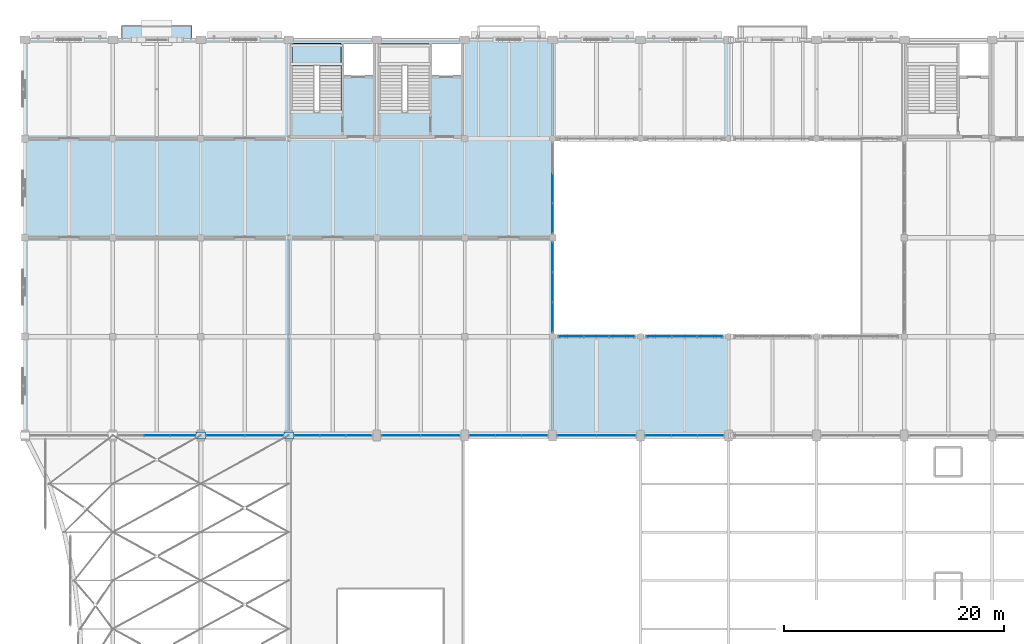
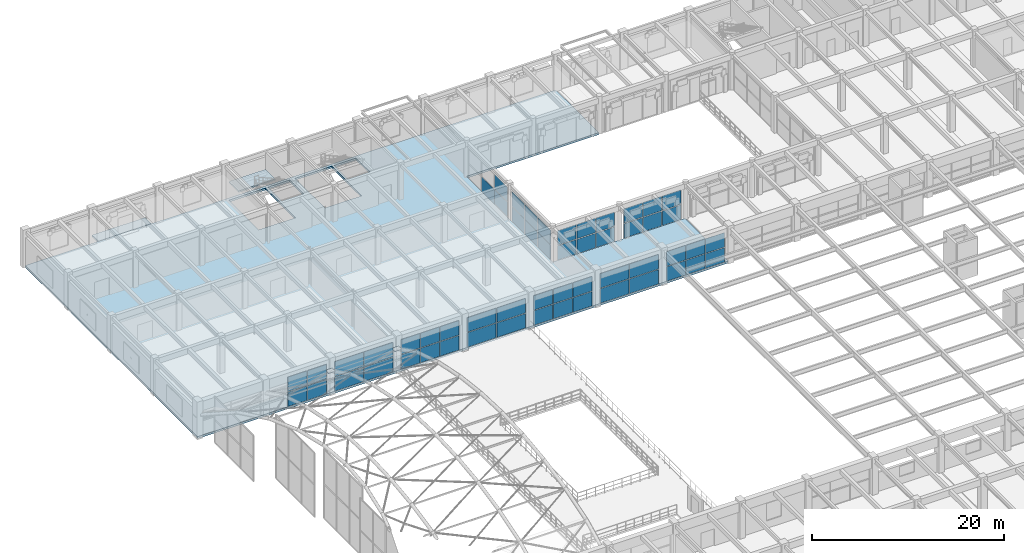
# One storey, part 94 of 144: 57 plates, 3 slabs, 12 elements without a shape of their own.
"""IFC4 building model written with IfcOpenShell, lengths in metres."""

import ifcopenshell
import ifcopenshell.guid

model = None  # the IFC model being written
_history = None  # IfcOwnerHistory: only IFC2X3 demands one
_inside = {}  # id of a spatial element -> (the spatial element, [elements in it])
_under = {}  # id of a project, library or spatial element -> (it, [spatial elements below it])
_declared = {}  # id of a project -> (the project, [libraries it declares])
_typed = {}  # id of a type object -> (the type object, [elements of that type])
_made_of = {}  # id of a material, layer set ... -> (it, [elements and type objects made of it])


def new_model(schema):
    """Start an empty IFC model of exactly this schema.

    Asked for "IFC4X3", IfcOpenShell would pick the latest addendum, in which some entities
    have other attributes; the version numbers below select the first issue.
    IFC2X3 requires an IfcOwnerHistory on every rooted entity: one is made here for all.
    """
    global model, _history
    if schema == "IFC4X3":
        model = ifcopenshell.file(schema_version=(4, 3, 0, 0))
    else:
        model = ifcopenshell.file(schema=schema)
    _inside.clear()
    _under.clear()
    _declared.clear()
    _typed.clear()
    _made_of.clear()
    _history = None
    if model.schema == "IFC2X3":
        org = make("IfcOrganization", Name="unknown")
        user = make(
            "IfcPersonAndOrganization",
            ThePerson=make("IfcPerson", FamilyName="unknown"),
            TheOrganization=org,
        )
        app = make(
            "IfcApplication",
            ApplicationDeveloper=org,
            Version="unknown",
            ApplicationFullName="unknown",
            ApplicationIdentifier="unknown",
        )
        _history = make(
            "IfcOwnerHistory",
            OwningUser=user,
            OwningApplication=app,
            ChangeAction="ADDED",
            CreationDate=0,
        )
    return model


def make(cls, **values):
    """One entity of the class cls with the attributes given. An attribute that is None is left unset."""
    return model.create_entity(
        cls, **{name: value for name, value in values.items() if value is not None}
    )


def rooted(cls, **values):
    """An entity with a GlobalId (a new one), such as an element, a storey or a relation."""
    return make(cls, GlobalId=ifcopenshell.guid.new(), OwnerHistory=_history, **values)


def si_unit(unit_type, name, prefix=None):
    """IfcSIUnit, for example si_unit("LENGTHUNIT", "METRE", prefix="MILLI")."""
    return make("IfcSIUnit", UnitType=unit_type, Prefix=prefix, Name=name)


def assignment(units):
    """IfcUnitAssignment: the units of a project."""
    return None if units is None else make("IfcUnitAssignment", Units=units)


def point(xyz):
    """IfcCartesianPoint."""
    return None if xyz is None else make("IfcCartesianPoint", Coordinates=xyz)


def direction(xyz):
    """IfcDirection."""
    return None if xyz is None else make("IfcDirection", DirectionRatios=xyz)


def frame(location, z_axis=None, x_axis=None):
    """IfcAxis2Placement3D, a coordinate frame: its origin and axes. An axis left out is left unset."""
    return make(
        "IfcAxis2Placement3D",
        Location=point(location),
        Axis=direction(z_axis),
        RefDirection=direction(x_axis),
    )


def frame_2d(location, x_axis=None):
    """IfcAxis2Placement2D, a coordinate frame in the plane: its origin and x axis."""
    return make(
        "IfcAxis2Placement2D", Location=point(location), RefDirection=direction(x_axis)
    )


def origin():
    """The frame at (0, 0, 0) with its axes left unset."""
    return frame((0.0, 0.0, 0.0))


def origin_2d():
    """The frame at (0, 0) in the plane with its x axis left unset."""
    return frame_2d((0.0, 0.0))


def place(relative_to, where):
    """IfcLocalPlacement: puts the frame where relative to a parent placement (None: the world)."""
    return make(
        "IfcLocalPlacement", PlacementRelTo=relative_to, RelativePlacement=where
    )


def context(
    kind, dimensions, precision=None, world=None, true_north=None, identifier=None
):
    """IfcGeometricRepresentationContext, for example the 3D "Model" context."""
    return make(
        "IfcGeometricRepresentationContext",
        ContextIdentifier=identifier,
        ContextType=kind,
        CoordinateSpaceDimension=dimensions,
        Precision=precision,
        WorldCoordinateSystem=world,
        TrueNorth=true_north,
    )


def subcontext(parent, identifier, kind, view, scale=None):
    """IfcGeometricRepresentationSubContext, for example "Body" below "Model"."""
    return make(
        "IfcGeometricRepresentationSubContext",
        ContextIdentifier=identifier,
        ContextType=kind,
        ParentContext=parent,
        TargetScale=scale,
        TargetView=view,
    )


def project(units=None, contexts=None):
    """IfcProject with its units and contexts."""
    return rooted(
        "IfcProject",
        Name="project",
        RepresentationContexts=contexts,
        UnitsInContext=assignment(units),
    )


def spatial(cls, under=None, at=None, **own):
    """A site, building, storey or space (cls), placed at a placement, below another one or the project."""
    s = rooted(cls, ObjectPlacement=at, **own)
    if under is not None:
        _under.setdefault(under.id(), (under, []))[1].append(s)
    return s


def polyline(points):
    """IfcPolyline through the points."""
    return make("IfcPolyline", Points=[point(p) for p in points])


def profile(cls, at=None, kind="AREA", **sizes):
    """A parametric profile (cls). Its sizes go by their IFC names, for example OverallWidth=200.0."""
    return make(cls, ProfileType=kind, Position=at, **sizes)


def rectangle(**sizes):
    """IfcRectangleProfileDef."""
    return profile("IfcRectangleProfileDef", **sizes)


def outline(outer, holes=None, kind="AREA"):
    """IfcArbitraryClosedProfileDef: a profile drawn as a closed curve; with holes, ...WithVoids."""
    if holes is None:
        return make("IfcArbitraryClosedProfileDef", ProfileType=kind, OuterCurve=outer)
    return make(
        "IfcArbitraryProfileDefWithVoids",
        ProfileType=kind,
        OuterCurve=outer,
        InnerCurves=holes,
    )


def extrude(swept, where, along, depth):
    """IfcExtrudedAreaSolid: the profile swept, set in the frame where, extruded along a direction by depth."""
    return make(
        "IfcExtrudedAreaSolid",
        SweptArea=swept,
        Position=where,
        ExtrudedDirection=direction(along),
        Depth=depth,
    )


def shape(context_of_items, identifier, shape_type, items):
    """IfcShapeRepresentation: the items that make up one representation, for example the "Body"."""
    return make(
        "IfcShapeRepresentation",
        ContextOfItems=context_of_items,
        RepresentationIdentifier=identifier,
        RepresentationType=shape_type,
        Items=items,
    )


def material(Name=None, Category=None):
    """IfcMaterial."""
    return make("IfcMaterial", Name=Name, Category=Category)


def layer(
    of_material, thickness, ventilated=None, Name=None, Category=None, Priority=None
):
    """IfcMaterialLayer: one layer of a wall or slab, of a material (None: an air gap)."""
    return make(
        "IfcMaterialLayer",
        Material=of_material,
        LayerThickness=thickness,
        IsVentilated=ventilated,
        Name=Name,
        Category=Category,
        Priority=Priority,
    )


def layer_set(layers, Name=None):
    """IfcMaterialLayerSet."""
    return make("IfcMaterialLayerSet", MaterialLayers=layers, LayerSetName=Name)


def made_of(thing, what):
    """Note that an element or type object is made of a material, layer set ...; save() writes the relation."""
    if what is not None:
        _made_of.setdefault(what.id(), (what, []))[1].append(thing)
    return thing


def type_object(cls, material=None, **own):
    """A type object (cls), such as IfcWallType, which elements share."""
    return made_of(rooted(cls, **own), material)


def element(
    cls,
    number,
    at=None,
    inside=None,
    cuts=None,
    type_object=None,
    material=None,
    context=None,
    identifier="Body",
    shape_type=None,
    held_by="IfcProductDefinitionShape",
    body=None,
    shapes=None,
    **own,
):
    """One element of the class cls, such as IfcWall. Its Tag is "e" and its number.

    at: its placement. inside: the storey or other place that contains it. cuts: it is an
    opening in that element (IfcRelVoidsElement). A single representation is given by context,
    identifier, shape_type and body (its items); several are given by shapes. held_by: the class
    of the entity that holds the representations. save() writes the other relations.
    """
    e = rooted(cls, Tag="e%d" % number, ObjectPlacement=at, **own)
    if body is not None:
        shapes = [shape(context, identifier, shape_type, body)]
    if shapes is not None:
        e.Representation = make(held_by, Representations=shapes)
    if inside is not None:
        _inside.setdefault(inside.id(), (inside, []))[1].append(e)
    if cuts is not None:
        rooted(
            "IfcRelVoidsElement", RelatingBuildingElement=cuts, RelatedOpeningElement=e
        )
    if type_object is not None:
        _typed.setdefault(type_object.id(), (type_object, []))[1].append(e)
    return made_of(e, material)


def aggregate(whole, parts):
    """IfcRelAggregates: a whole, such as a stair, and the parts it consists of."""
    return rooted("IfcRelAggregates", RelatingObject=whole, RelatedObjects=parts)


def save(model, path):
    """Write the relations noted so far, then the file.

    IfcRelAggregates (storeys below a building ...), IfcRelContainedInSpatialStructure (elements
    in a storey), IfcRelDefinesByType, IfcRelAssociatesMaterial and IfcRelDeclares: one each for
    every whole, place, type object, material and project.
    """
    for whole, parts in _under.values():
        aggregate(whole, parts)
    for where, things in _inside.values():
        rooted(
            "IfcRelContainedInSpatialStructure",
            RelatedElements=things,
            RelatingStructure=where,
        )
    for kind, things in _typed.values():
        rooted("IfcRelDefinesByType", RelatedObjects=things, RelatingType=kind)
    for what, things in _made_of.values():
        rooted("IfcRelAssociatesMaterial", RelatedObjects=things, RelatingMaterial=what)
    for by, libraries in _declared.values():
        rooted("IfcRelDeclares", RelatingContext=by, RelatedDefinitions=libraries)
    model.write(path)


model = new_model("IFC4")

# Units and contexts
model_context = context("Model", 3, precision=1e-05, world=origin(), true_north=direction((0.0, 1.0)))
body_context = subcontext(model_context, "Body", "Model", "MODEL_VIEW")
ifc_project = project(units=[si_unit("LENGTHUNIT", "METRE"), si_unit("AREAUNIT", "SQUARE_METRE"), si_unit("VOLUMEUNIT", "CUBIC_METRE"), si_unit("PLANEANGLEUNIT", "RADIAN"), si_unit("MASSUNIT", "GRAM", prefix="KILO")], contexts=[model_context])

# Site, building, storey
site_placement = place(None, origin())
site = spatial("IfcSite", under=ifc_project, at=site_placement, CompositionType="ELEMENT")
building_placement = place(site_placement, origin())
building = spatial("IfcBuilding", under=site, at=building_placement, Name="Varnabhumi Central Station", CompositionType="ELEMENT")
storey_placement = place(building_placement, frame((0.0, 0.0, 4.800048828125)))
storey = spatial("IfcBuildingStorey", under=building, at=storey_placement, Name="L01", CompositionType="ELEMENT", Elevation=4.800048828125)

# Curtain wall, plates
ifc_material_1 = material(Name="Anodised aluminium 6063-T6", Category="aluminium")
curtain_wall_type_1 = type_object("IfcCurtainWallType", Name="CW-STREET-PORTAL", PredefinedType="NOTDEFINED", material=ifc_material_1)
curtain_wall_1_placement = place(storey_placement, origin())
curtain_wall_1 = element("IfcCurtainWall", 1, at=curtain_wall_1_placement, inside=storey, type_object=curtain_wall_type_1, Name="Curtain Wall CW-NSP101", PredefinedType="NOTDEFINED")
ifc_material_2 = material(Name="Laminated low-E double glazing", Category="glass")
ifc_layer_1 = layer(ifc_material_2, 0.035888671875, Name="Laminated low-E double glazing", Category="glass")
ifc_layer_set_1 = layer_set([ifc_layer_1], Name="Laminated low-E double glazing")
plate_type_1 = type_object("IfcPlateType", Name="CW-PNL-GLZ-2", PredefinedType="CURTAIN_PANEL", material=ifc_layer_set_1)
plate_1_placement = place(storey_placement, frame((12.0, 80.0, 0.0400390625), z_axis=(0.0, 0.0, 1.0), x_axis=(1.0, 0.0, 0.0)))
plate_1 = element("IfcPlate", 2, at=plate_1_placement, type_object=plate_type_1, Name="Glazed Panel CW-NSP101-P21", PredefinedType="CURTAIN_PANEL", context=body_context, shape_type="SweptSolid", body=[
    extrude(rectangle(XDim=2.28662109375, YDim=0.035888671875, at=origin_2d()), origin(), (0.0, 0.0, 1.0), 1.840087890625),
])
plate_2_placement = place(storey_placement, frame((12.0, 80.0, 1.9599609375), z_axis=(0.0, 0.0, 1.0), x_axis=(1.0, 0.0, 0.0)))
plate_2 = element("IfcPlate", 3, at=plate_2_placement, type_object=plate_type_1, Name="Glazed Panel CW-NSP101-P22", PredefinedType="CURTAIN_PANEL", context=body_context, shape_type="SweptSolid", body=[
    extrude(rectangle(XDim=2.28662109375, YDim=0.035888671875, at=origin_2d()), origin(), (0.0, 0.0, 1.0), 1.840087890625),
])
plate_3_placement = place(storey_placement, frame((14.36669921875, 80.0, 0.0400390625), z_axis=(0.0, 0.0, 1.0), x_axis=(1.0, 0.0, 0.0)))
plate_3 = element("IfcPlate", 4, at=plate_3_placement, type_object=plate_type_1, Name="Glazed Panel CW-NSP101-P31", PredefinedType="CURTAIN_PANEL", context=body_context, shape_type="SweptSolid", body=[
    extrude(rectangle(XDim=2.28662109375, YDim=0.035888671875, at=origin_2d()), origin(), (0.0, 0.0, 1.0), 1.840087890625),
])
plate_4_placement = place(storey_placement, frame((14.36669921875, 80.0, 1.9599609375), z_axis=(0.0, 0.0, 1.0), x_axis=(1.0, 0.0, 0.0)))
plate_4 = element("IfcPlate", 5, at=plate_4_placement, type_object=plate_type_1, Name="Glazed Panel CW-NSP101-P32", PredefinedType="CURTAIN_PANEL", context=body_context, shape_type="SweptSolid", body=[
    extrude(rectangle(XDim=2.28662109375, YDim=0.035888671875, at=origin_2d()), origin(), (0.0, 0.0, 1.0), 1.840087890625),
])
aggregate(curtain_wall_1, [plate_1, plate_2, plate_3, plate_4])

curtain_wall_2_placement = place(storey_placement, origin())
curtain_wall_2 = element("IfcCurtainWall", 6, at=curtain_wall_2_placement, inside=storey, type_object=curtain_wall_type_1, Name="Curtain Wall CW-NSP107", PredefinedType="NOTDEFINED")
plate_5_placement = place(storey_placement, frame((57.63330078125, 80.0, 0.0400390625), z_axis=(0.0, 0.0, 1.0), x_axis=(1.0, 0.0, 0.0)))
plate_5 = element("IfcPlate", 7, at=plate_5_placement, type_object=plate_type_1, Name="Glazed Panel CW-NSP107-P11", PredefinedType="CURTAIN_PANEL", context=body_context, shape_type="SweptSolid", body=[
    extrude(rectangle(XDim=2.28662109375, YDim=0.035888671875, at=origin_2d()), origin(), (0.0, 0.0, 1.0), 1.840087890625),
])
plate_6_placement = place(storey_placement, frame((57.63330078125, 80.0, 1.9599609375), z_axis=(0.0, 0.0, 1.0), x_axis=(1.0, 0.0, 0.0)))
plate_6 = element("IfcPlate", 8, at=plate_6_placement, type_object=plate_type_1, Name="Glazed Panel CW-NSP107-P12", PredefinedType="CURTAIN_PANEL", context=body_context, shape_type="SweptSolid", body=[
    extrude(rectangle(XDim=2.28662109375, YDim=0.035888671875, at=origin_2d()), origin(), (0.0, 0.0, 1.0), 1.840087890625),
])
plate_7_placement = place(storey_placement, frame((60.0, 80.0, 0.0400390625), z_axis=(0.0, 0.0, 1.0), x_axis=(1.0, 0.0, 0.0)))
plate_7 = element("IfcPlate", 9, at=plate_7_placement, type_object=plate_type_1, Name="Glazed Panel CW-NSP107-P21", PredefinedType="CURTAIN_PANEL", context=body_context, shape_type="SweptSolid", body=[
    extrude(rectangle(XDim=2.28662109375, YDim=0.035888671875, at=origin_2d()), origin(), (0.0, 0.0, 1.0), 1.840087890625),
])
plate_8_placement = place(storey_placement, frame((60.0, 80.0, 1.9599609375), z_axis=(0.0, 0.0, 1.0), x_axis=(1.0, 0.0, 0.0)))
plate_8 = element("IfcPlate", 10, at=plate_8_placement, type_object=plate_type_1, Name="Glazed Panel CW-NSP107-P22", PredefinedType="CURTAIN_PANEL", context=body_context, shape_type="SweptSolid", body=[
    extrude(rectangle(XDim=2.28662109375, YDim=0.035888671875, at=origin_2d()), origin(), (0.0, 0.0, 1.0), 1.840087890625),
])
plate_9_placement = place(storey_placement, frame((62.36669921875, 80.0, 0.0400390625), z_axis=(0.0, 0.0, 1.0), x_axis=(1.0, 0.0, 0.0)))
plate_9 = element("IfcPlate", 11, at=plate_9_placement, type_object=plate_type_1, Name="Glazed Panel CW-NSP107-P31", PredefinedType="CURTAIN_PANEL", context=body_context, shape_type="SweptSolid", body=[
    extrude(rectangle(XDim=2.28662109375, YDim=0.035888671875, at=origin_2d()), origin(), (0.0, 0.0, 1.0), 1.840087890625),
])
plate_10_placement = place(storey_placement, frame((62.36669921875, 80.0, 1.9599609375), z_axis=(0.0, 0.0, 1.0), x_axis=(1.0, 0.0, 0.0)))
plate_10 = element("IfcPlate", 12, at=plate_10_placement, type_object=plate_type_1, Name="Glazed Panel CW-NSP107-P32", PredefinedType="CURTAIN_PANEL", context=body_context, shape_type="SweptSolid", body=[
    extrude(rectangle(XDim=2.28662109375, YDim=0.035888671875, at=origin_2d()), origin(), (0.0, 0.0, 1.0), 1.840087890625),
])
aggregate(curtain_wall_2, [plate_5, plate_6, plate_7, plate_8, plate_9, plate_10])

curtain_wall_type_2 = type_object("IfcCurtainWallType", Name="CW-PATIO-LOGGIA-L1", PredefinedType="NOTDEFINED", material=ifc_material_1)
curtain_wall_3_placement = place(storey_placement, origin())
curtain_wall_3 = element("IfcCurtainWall", 13, at=curtain_wall_3_placement, inside=storey, type_object=curtain_wall_type_2, Name="Curtain Wall CW-NP1E1", PredefinedType="NOTDEFINED")
plate_11_placement = place(storey_placement, frame((48.0, 90.780029296875, 0.0400390625), z_axis=(0.0, 0.0, 1.0), x_axis=(0.0, 1.0, 0.0)))
plate_11 = element("IfcPlate", 14, at=plate_11_placement, type_object=plate_type_1, Name="Glazed Panel CW-NP1E1-P11", PredefinedType="CURTAIN_PANEL", context=body_context, shape_type="SweptSolid", body=[
    extrude(rectangle(XDim=2.639892578125, YDim=0.035888671875, at=origin_2d()), origin(), (0.0, 0.0, 1.0), 1.840087890625),
])
plate_12_placement = place(storey_placement, frame((48.0, 90.780029296875, 1.9599609375), z_axis=(0.0, 0.0, 1.0), x_axis=(0.0, 1.0, 0.0)))
plate_12 = element("IfcPlate", 15, at=plate_12_placement, type_object=plate_type_1, Name="Glazed Panel CW-NP1E1-P12", PredefinedType="CURTAIN_PANEL", context=body_context, shape_type="SweptSolid", body=[
    extrude(rectangle(XDim=2.639892578125, YDim=0.035888671875, at=origin_2d()), origin(), (0.0, 0.0, 1.0), 1.840087890625),
])
plate_13_placement = place(storey_placement, frame((48.0, 93.5, 0.0400390625), z_axis=(0.0, 0.0, 1.0), x_axis=(0.0, 1.0, 0.0)))
plate_13 = element("IfcPlate", 16, at=plate_13_placement, type_object=plate_type_1, Name="Glazed Panel CW-NP1E1-P21", PredefinedType="CURTAIN_PANEL", context=body_context, shape_type="SweptSolid", body=[
    extrude(rectangle(XDim=2.639892578125, YDim=0.035888671875, at=origin_2d()), origin(), (0.0, 0.0, 1.0), 1.840087890625),
])
plate_14_placement = place(storey_placement, frame((48.0, 93.5, 1.9599609375), z_axis=(0.0, 0.0, 1.0), x_axis=(0.0, 1.0, 0.0)))
plate_14 = element("IfcPlate", 17, at=plate_14_placement, type_object=plate_type_1, Name="Glazed Panel CW-NP1E1-P22", PredefinedType="CURTAIN_PANEL", context=body_context, shape_type="SweptSolid", body=[
    extrude(rectangle(XDim=2.639892578125, YDim=0.035888671875, at=origin_2d()), origin(), (0.0, 0.0, 1.0), 1.840087890625),
])
plate_15_placement = place(storey_placement, frame((48.0, 96.219970703125, 0.0400390625), z_axis=(0.0, 0.0, 1.0), x_axis=(0.0, 1.0, 0.0)))
plate_15 = element("IfcPlate", 18, at=plate_15_placement, type_object=plate_type_1, Name="Glazed Panel CW-NP1E1-P31", PredefinedType="CURTAIN_PANEL", context=body_context, shape_type="SweptSolid", body=[
    extrude(rectangle(XDim=2.639892578125, YDim=0.035888671875, at=origin_2d()), origin(), (0.0, 0.0, 1.0), 1.840087890625),
])
plate_16_placement = place(storey_placement, frame((48.0, 96.219970703125, 1.9599609375), z_axis=(0.0, 0.0, 1.0), x_axis=(0.0, 1.0, 0.0)))
plate_16 = element("IfcPlate", 19, at=plate_16_placement, type_object=plate_type_1, Name="Glazed Panel CW-NP1E1-P32", PredefinedType="CURTAIN_PANEL", context=body_context, shape_type="SweptSolid", body=[
    extrude(rectangle(XDim=2.639892578125, YDim=0.035888671875, at=origin_2d()), origin(), (0.0, 0.0, 1.0), 1.840087890625),
])
aggregate(curtain_wall_3, [plate_11, plate_12, plate_13, plate_14, plate_15, plate_16])

curtain_wall_4_placement = place(storey_placement, origin())
curtain_wall_4 = element("IfcCurtainWall", 20, at=curtain_wall_4_placement, inside=storey, type_object=curtain_wall_type_2, Name="Curtain Wall CW-NP1E2", PredefinedType="NOTDEFINED")
plate_17_placement = place(storey_placement, frame((48.0, 99.780029296875, 0.0400390625), z_axis=(0.0, 0.0, 1.0), x_axis=(0.0, 1.0, 0.0)))
plate_17 = element("IfcPlate", 21, at=plate_17_placement, type_object=plate_type_1, Name="Glazed Panel CW-NP1E2-P11", PredefinedType="CURTAIN_PANEL", context=body_context, shape_type="SweptSolid", body=[
    extrude(rectangle(XDim=2.639892578125, YDim=0.035888671875, at=origin_2d()), origin(), (0.0, 0.0, 1.0), 1.840087890625),
])
plate_18_placement = place(storey_placement, frame((48.0, 99.780029296875, 1.9599609375), z_axis=(0.0, 0.0, 1.0), x_axis=(0.0, 1.0, 0.0)))
plate_18 = element("IfcPlate", 22, at=plate_18_placement, type_object=plate_type_1, Name="Glazed Panel CW-NP1E2-P12", PredefinedType="CURTAIN_PANEL", context=body_context, shape_type="SweptSolid", body=[
    extrude(rectangle(XDim=2.639892578125, YDim=0.035888671875, at=origin_2d()), origin(), (0.0, 0.0, 1.0), 1.840087890625),
])
plate_19_placement = place(storey_placement, frame((48.0, 102.5, 0.0400390625), z_axis=(0.0, 0.0, 1.0), x_axis=(0.0, 1.0, 0.0)))
plate_19 = element("IfcPlate", 23, at=plate_19_placement, type_object=plate_type_1, Name="Glazed Panel CW-NP1E2-P21", PredefinedType="CURTAIN_PANEL", context=body_context, shape_type="SweptSolid", body=[
    extrude(rectangle(XDim=2.639892578125, YDim=0.035888671875, at=origin_2d()), origin(), (0.0, 0.0, 1.0), 1.840087890625),
])
aggregate(curtain_wall_4, [plate_17, plate_18, plate_19])

curtain_wall_5_placement = place(storey_placement, origin())
curtain_wall_5 = element("IfcCurtainWall", 24, at=curtain_wall_5_placement, inside=storey, type_object=curtain_wall_type_2, Name="Curtain Wall CW-NP1S1", PredefinedType="NOTDEFINED")
plate_20_placement = place(storey_placement, frame((49.679931640625, 89.0, 0.0400390625), z_axis=(0.0, 0.0, 1.0), x_axis=(1.0, 0.0, 0.0)))
plate_20 = element("IfcPlate", 25, at=plate_20_placement, type_object=plate_type_1, Name="Glazed Panel CW-NP1S1-P11", PredefinedType="CURTAIN_PANEL", context=body_context, shape_type="SweptSolid", body=[
    extrude(rectangle(XDim=2.239990234375, YDim=0.035888671875, at=origin_2d()), origin(), (0.0, 0.0, 1.0), 1.840087890625),
])
plate_21_placement = place(storey_placement, frame((49.679931640625, 89.0, 1.9599609375), z_axis=(0.0, 0.0, 1.0), x_axis=(1.0, 0.0, 0.0)))
plate_21 = element("IfcPlate", 26, at=plate_21_placement, type_object=plate_type_1, Name="Glazed Panel CW-NP1S1-P12", PredefinedType="CURTAIN_PANEL", context=body_context, shape_type="SweptSolid", body=[
    extrude(rectangle(XDim=2.239990234375, YDim=0.035888671875, at=origin_2d()), origin(), (0.0, 0.0, 1.0), 1.840087890625),
])
plate_22_placement = place(storey_placement, frame((52.0, 89.0, 0.0400390625), z_axis=(0.0, 0.0, 1.0), x_axis=(1.0, 0.0, 0.0)))
plate_22 = element("IfcPlate", 27, at=plate_22_placement, type_object=plate_type_1, Name="Glazed Panel CW-NP1S1-P21", PredefinedType="CURTAIN_PANEL", context=body_context, shape_type="SweptSolid", body=[
    extrude(rectangle(XDim=2.239990234375, YDim=0.035888671875, at=origin_2d()), origin(), (0.0, 0.0, 1.0), 1.840087890625),
])
plate_23_placement = place(storey_placement, frame((52.0, 89.0, 1.9599609375), z_axis=(0.0, 0.0, 1.0), x_axis=(1.0, 0.0, 0.0)))
plate_23 = element("IfcPlate", 28, at=plate_23_placement, type_object=plate_type_1, Name="Glazed Panel CW-NP1S1-P22", PredefinedType="CURTAIN_PANEL", context=body_context, shape_type="SweptSolid", body=[
    extrude(rectangle(XDim=2.239990234375, YDim=0.035888671875, at=origin_2d()), origin(), (0.0, 0.0, 1.0), 1.840087890625),
])
plate_24_placement = place(storey_placement, frame((54.320068359375, 89.0, 0.0400390625), z_axis=(0.0, 0.0, 1.0), x_axis=(1.0, 0.0, 0.0)))
plate_24 = element("IfcPlate", 29, at=plate_24_placement, type_object=plate_type_1, Name="Glazed Panel CW-NP1S1-P31", PredefinedType="CURTAIN_PANEL", context=body_context, shape_type="SweptSolid", body=[
    extrude(rectangle(XDim=2.239990234375, YDim=0.035888671875, at=origin_2d()), origin(), (0.0, 0.0, 1.0), 1.840087890625),
])
plate_25_placement = place(storey_placement, frame((54.320068359375, 89.0, 1.9599609375), z_axis=(0.0, 0.0, 1.0), x_axis=(1.0, 0.0, 0.0)))
plate_25 = element("IfcPlate", 30, at=plate_25_placement, type_object=plate_type_1, Name="Glazed Panel CW-NP1S1-P32", PredefinedType="CURTAIN_PANEL", context=body_context, shape_type="SweptSolid", body=[
    extrude(rectangle(XDim=2.239990234375, YDim=0.035888671875, at=origin_2d()), origin(), (0.0, 0.0, 1.0), 1.840087890625),
])
aggregate(curtain_wall_5, [plate_20, plate_21, plate_22, plate_23, plate_24, plate_25])

curtain_wall_6_placement = place(storey_placement, origin())
curtain_wall_6 = element("IfcCurtainWall", 31, at=curtain_wall_6_placement, inside=storey, type_object=curtain_wall_type_2, Name="Curtain Wall CW-NP1S2", PredefinedType="NOTDEFINED")
ifc_layer_2 = layer(ifc_material_2, 0.035888671875, Name="Laminated low-E double glazing", Category="glass")
ifc_layer_set_2 = layer_set([ifc_layer_2], Name="Laminated low-E double glazing")
plate_type_2 = type_object("IfcPlateType", Name="CW-PNL-GLZ-3", PredefinedType="CURTAIN_PANEL", material=ifc_layer_set_2)
plate_26_placement = place(storey_placement, frame((57.679931640625, 89.0, 0.0400390625), z_axis=(0.0, 0.0, 1.0), x_axis=(1.0, 0.0, 0.0)))
plate_26 = element("IfcPlate", 32, at=plate_26_placement, type_object=plate_type_2, Name="Glazed Panel CW-NP1S2-P11", PredefinedType="CURTAIN_PANEL", context=body_context, shape_type="SweptSolid", body=[
    extrude(rectangle(XDim=2.239990234375, YDim=0.035888671875, at=origin_2d()), origin(), (0.0, 0.0, 1.0), 1.840087890625),
])
plate_27_placement = place(storey_placement, frame((57.679931640625, 89.0, 1.9599609375), z_axis=(0.0, 0.0, 1.0), x_axis=(1.0, 0.0, 0.0)))
plate_27 = element("IfcPlate", 33, at=plate_27_placement, type_object=plate_type_2, Name="Glazed Panel CW-NP1S2-P12", PredefinedType="CURTAIN_PANEL", context=body_context, shape_type="SweptSolid", body=[
    extrude(rectangle(XDim=2.239990234375, YDim=0.035888671875, at=origin_2d()), origin(), (0.0, 0.0, 1.0), 1.840087890625),
])
plate_28_placement = place(storey_placement, frame((60.0, 89.0, 0.0400390625), z_axis=(0.0, 0.0, 1.0), x_axis=(1.0, 0.0, 0.0)))
plate_28 = element("IfcPlate", 34, at=plate_28_placement, type_object=plate_type_2, Name="Glazed Panel CW-NP1S2-P21", PredefinedType="CURTAIN_PANEL", context=body_context, shape_type="SweptSolid", body=[
    extrude(rectangle(XDim=2.239990234375, YDim=0.035888671875, at=origin_2d()), origin(), (0.0, 0.0, 1.0), 1.840087890625),
])
plate_29_placement = place(storey_placement, frame((60.0, 89.0, 1.9599609375), z_axis=(0.0, 0.0, 1.0), x_axis=(1.0, 0.0, 0.0)))
plate_29 = element("IfcPlate", 35, at=plate_29_placement, type_object=plate_type_2, Name="Glazed Panel CW-NP1S2-P22", PredefinedType="CURTAIN_PANEL", context=body_context, shape_type="SweptSolid", body=[
    extrude(rectangle(XDim=2.239990234375, YDim=0.035888671875, at=origin_2d()), origin(), (0.0, 0.0, 1.0), 1.840087890625),
])
plate_30_placement = place(storey_placement, frame((62.320068359375, 89.0, 0.0400390625), z_axis=(0.0, 0.0, 1.0), x_axis=(1.0, 0.0, 0.0)))
plate_30 = element("IfcPlate", 36, at=plate_30_placement, type_object=plate_type_2, Name="Glazed Panel CW-NP1S2-P31", PredefinedType="CURTAIN_PANEL", context=body_context, shape_type="SweptSolid", body=[
    extrude(rectangle(XDim=2.239990234375, YDim=0.035888671875, at=origin_2d()), origin(), (0.0, 0.0, 1.0), 1.840087890625),
])
plate_31_placement = place(storey_placement, frame((62.320068359375, 89.0, 1.9599609375), z_axis=(0.0, 0.0, 1.0), x_axis=(1.0, 0.0, 0.0)))
plate_31 = element("IfcPlate", 37, at=plate_31_placement, type_object=plate_type_2, Name="Glazed Panel CW-NP1S2-P32", PredefinedType="CURTAIN_PANEL", context=body_context, shape_type="SweptSolid", body=[
    extrude(rectangle(XDim=2.239990234375, YDim=0.035888671875, at=origin_2d()), origin(), (0.0, 0.0, 1.0), 1.840087890625),
])
aggregate(curtain_wall_6, [plate_26, plate_27, plate_28, plate_29, plate_30, plate_31])

curtain_wall_7_placement = place(storey_placement, origin())
curtain_wall_7 = element("IfcCurtainWall", 38, at=curtain_wall_7_placement, inside=storey, type_object=curtain_wall_type_1, Name="Curtain Wall CW-NSP103", PredefinedType="NOTDEFINED")
ifc_layer_3 = layer(ifc_material_2, 0.035888671875, Name="Laminated low-E double glazing", Category="glass")
ifc_layer_set_3 = layer_set([ifc_layer_3], Name="Laminated low-E double glazing")
plate_type_3 = type_object("IfcPlateType", Name="CW-PNL-GLZ-4", PredefinedType="CURTAIN_PANEL", material=ifc_layer_set_3)
plate_32_placement = place(storey_placement, frame((25.63330078125, 80.0, 0.0400390625), z_axis=(0.0, 0.0, 1.0), x_axis=(1.0, 0.0, 0.0)))
plate_32 = element("IfcPlate", 39, at=plate_32_placement, type_object=plate_type_3, Name="Glazed Panel CW-NSP103-P11", PredefinedType="CURTAIN_PANEL", context=body_context, shape_type="SweptSolid", body=[
    extrude(rectangle(XDim=2.28662109375, YDim=0.035888671875, at=origin_2d()), origin(), (0.0, 0.0, 1.0), 1.840087890625),
])
plate_33_placement = place(storey_placement, frame((25.63330078125, 80.0, 1.9599609375), z_axis=(0.0, 0.0, 1.0), x_axis=(1.0, 0.0, 0.0)))
plate_33 = element("IfcPlate", 40, at=plate_33_placement, type_object=plate_type_3, Name="Glazed Panel CW-NSP103-P12", PredefinedType="CURTAIN_PANEL", context=body_context, shape_type="SweptSolid", body=[
    extrude(rectangle(XDim=2.28662109375, YDim=0.035888671875, at=origin_2d()), origin(), (0.0, 0.0, 1.0), 1.840087890625),
])
plate_34_placement = place(storey_placement, frame((28.0, 80.0, 0.0400390625), z_axis=(0.0, 0.0, 1.0), x_axis=(1.0, 0.0, 0.0)))
plate_34 = element("IfcPlate", 41, at=plate_34_placement, type_object=plate_type_3, Name="Glazed Panel CW-NSP103-P21", PredefinedType="CURTAIN_PANEL", context=body_context, shape_type="SweptSolid", body=[
    extrude(rectangle(XDim=2.28662109375, YDim=0.035888671875, at=origin_2d()), origin(), (0.0, 0.0, 1.0), 1.840087890625),
])
plate_35_placement = place(storey_placement, frame((28.0, 80.0, 1.9599609375), z_axis=(0.0, 0.0, 1.0), x_axis=(1.0, 0.0, 0.0)))
plate_35 = element("IfcPlate", 42, at=plate_35_placement, type_object=plate_type_3, Name="Glazed Panel CW-NSP103-P22", PredefinedType="CURTAIN_PANEL", context=body_context, shape_type="SweptSolid", body=[
    extrude(rectangle(XDim=2.28662109375, YDim=0.035888671875, at=origin_2d()), origin(), (0.0, 0.0, 1.0), 1.840087890625),
])
plate_36_placement = place(storey_placement, frame((30.36669921875, 80.0, 0.0400390625), z_axis=(0.0, 0.0, 1.0), x_axis=(1.0, 0.0, 0.0)))
plate_36 = element("IfcPlate", 43, at=plate_36_placement, type_object=plate_type_3, Name="Glazed Panel CW-NSP103-P31", PredefinedType="CURTAIN_PANEL", context=body_context, shape_type="SweptSolid", body=[
    extrude(rectangle(XDim=2.28662109375, YDim=0.035888671875, at=origin_2d()), origin(), (0.0, 0.0, 1.0), 1.840087890625),
])
plate_37_placement = place(storey_placement, frame((30.36669921875, 80.0, 1.9599609375), z_axis=(0.0, 0.0, 1.0), x_axis=(1.0, 0.0, 0.0)))
plate_37 = element("IfcPlate", 44, at=plate_37_placement, type_object=plate_type_3, Name="Glazed Panel CW-NSP103-P32", PredefinedType="CURTAIN_PANEL", context=body_context, shape_type="SweptSolid", body=[
    extrude(rectangle(XDim=2.28662109375, YDim=0.035888671875, at=origin_2d()), origin(), (0.0, 0.0, 1.0), 1.840087890625),
])
aggregate(curtain_wall_7, [plate_32, plate_33, plate_34, plate_35, plate_36, plate_37])

curtain_wall_type_3 = type_object("IfcCurtainWallType", Name="CW-SPINE-SCREEN-L0", PredefinedType="NOTDEFINED", material=ifc_material_1)
curtain_wall_8_placement = place(storey_placement, origin())
curtain_wall_8 = element("IfcCurtainWall", 45, at=curtain_wall_8_placement, inside=storey, type_object=curtain_wall_type_3, Name="Curtain Wall CW-NS102", PredefinedType="NOTDEFINED")
ifc_layer_4 = layer(ifc_material_2, 0.035888671875, Name="Laminated low-E double glazing", Category="glass")
ifc_layer_set_4 = layer_set([ifc_layer_4], Name="Laminated low-E double glazing")
plate_type_4 = type_object("IfcPlateType", Name="CW-PNL-GLZ-5", PredefinedType="CURTAIN_PANEL", material=ifc_layer_set_4)
plate_38_placement = place(storey_placement, frame((18.22509765625, 80.0, 0.0400390625), z_axis=(0.0, 0.0, 1.0), x_axis=(1.0, 0.0, 0.0)))
plate_38 = element("IfcPlate", 46, at=plate_38_placement, type_object=plate_type_4, Name="Glazed Panel CW-NS102-P11", PredefinedType="CURTAIN_PANEL", context=body_context, shape_type="SweptSolid", body=[
    extrude(rectangle(XDim=3.469970703125, YDim=0.035888671875, at=origin_2d()), origin(), (0.0, 0.0, 1.0), 1.840087890625),
])
plate_39_placement = place(storey_placement, frame((18.22509765625, 80.0, 1.9599609375), z_axis=(0.0, 0.0, 1.0), x_axis=(1.0, 0.0, 0.0)))
plate_39 = element("IfcPlate", 47, at=plate_39_placement, type_object=plate_type_4, Name="Glazed Panel CW-NS102-P12", PredefinedType="CURTAIN_PANEL", context=body_context, shape_type="SweptSolid", body=[
    extrude(rectangle(XDim=3.469970703125, YDim=0.035888671875, at=origin_2d()), origin(), (0.0, 0.0, 1.0), 1.840087890625),
])
plate_40_placement = place(storey_placement, frame((21.77490234375, 80.0, 0.0400390625), z_axis=(0.0, 0.0, 1.0), x_axis=(1.0, 0.0, 0.0)))
plate_40 = element("IfcPlate", 48, at=plate_40_placement, type_object=plate_type_4, Name="Glazed Panel CW-NS102-P21", PredefinedType="CURTAIN_PANEL", context=body_context, shape_type="SweptSolid", body=[
    extrude(rectangle(XDim=3.469970703125, YDim=0.035888671875, at=origin_2d()), origin(), (0.0, 0.0, 1.0), 1.840087890625),
])
plate_41_placement = place(storey_placement, frame((21.77490234375, 80.0, 1.9599609375), z_axis=(0.0, 0.0, 1.0), x_axis=(1.0, 0.0, 0.0)))
plate_41 = element("IfcPlate", 49, at=plate_41_placement, type_object=plate_type_4, Name="Glazed Panel CW-NS102-P22", PredefinedType="CURTAIN_PANEL", context=body_context, shape_type="SweptSolid", body=[
    extrude(rectangle(XDim=3.469970703125, YDim=0.035888671875, at=origin_2d()), origin(), (0.0, 0.0, 1.0), 1.840087890625),
])
aggregate(curtain_wall_8, [plate_38, plate_39, plate_40, plate_41])

curtain_wall_9_placement = place(storey_placement, origin())
curtain_wall_9 = element("IfcCurtainWall", 50, at=curtain_wall_9_placement, inside=storey, type_object=curtain_wall_type_3, Name="Curtain Wall CW-NS104", PredefinedType="NOTDEFINED")
plate_42_placement = place(storey_placement, frame((34.22509765625, 80.0, 0.0400390625), z_axis=(0.0, 0.0, 1.0), x_axis=(1.0, 0.0, 0.0)))
plate_42 = element("IfcPlate", 51, at=plate_42_placement, type_object=plate_type_4, Name="Glazed Panel CW-NS104-P11", PredefinedType="CURTAIN_PANEL", context=body_context, shape_type="SweptSolid", body=[
    extrude(rectangle(XDim=3.469970703125, YDim=0.035888671875, at=origin_2d()), origin(), (0.0, 0.0, 1.0), 1.840087890625),
])
plate_43_placement = place(storey_placement, frame((34.22509765625, 80.0, 1.9599609375), z_axis=(0.0, 0.0, 1.0), x_axis=(1.0, 0.0, 0.0)))
plate_43 = element("IfcPlate", 52, at=plate_43_placement, type_object=plate_type_4, Name="Glazed Panel CW-NS104-P12", PredefinedType="CURTAIN_PANEL", context=body_context, shape_type="SweptSolid", body=[
    extrude(rectangle(XDim=3.469970703125, YDim=0.035888671875, at=origin_2d()), origin(), (0.0, 0.0, 1.0), 1.840087890625),
])
plate_44_placement = place(storey_placement, frame((37.77490234375, 80.0, 0.0400390625), z_axis=(0.0, 0.0, 1.0), x_axis=(1.0, 0.0, 0.0)))
plate_44 = element("IfcPlate", 53, at=plate_44_placement, type_object=plate_type_4, Name="Glazed Panel CW-NS104-P21", PredefinedType="CURTAIN_PANEL", context=body_context, shape_type="SweptSolid", body=[
    extrude(rectangle(XDim=3.469970703125, YDim=0.035888671875, at=origin_2d()), origin(), (0.0, 0.0, 1.0), 1.840087890625),
])
plate_45_placement = place(storey_placement, frame((37.77490234375, 80.0, 1.9599609375), z_axis=(0.0, 0.0, 1.0), x_axis=(1.0, 0.0, 0.0)))
plate_45 = element("IfcPlate", 54, at=plate_45_placement, type_object=plate_type_4, Name="Glazed Panel CW-NS104-P22", PredefinedType="CURTAIN_PANEL", context=body_context, shape_type="SweptSolid", body=[
    extrude(rectangle(XDim=3.469970703125, YDim=0.035888671875, at=origin_2d()), origin(), (0.0, 0.0, 1.0), 1.840087890625),
])
aggregate(curtain_wall_9, [plate_42, plate_43, plate_44, plate_45])

curtain_wall_10_placement = place(storey_placement, origin())
curtain_wall_10 = element("IfcCurtainWall", 55, at=curtain_wall_10_placement, inside=storey, type_object=curtain_wall_type_3, Name="Curtain Wall CW-NS106", PredefinedType="NOTDEFINED")
plate_46_placement = place(storey_placement, frame((50.22509765625, 80.0, 0.0400390625), z_axis=(0.0, 0.0, 1.0), x_axis=(1.0, 0.0, 0.0)))
plate_46 = element("IfcPlate", 56, at=plate_46_placement, type_object=plate_type_4, Name="Glazed Panel CW-NS106-P11", PredefinedType="CURTAIN_PANEL", context=body_context, shape_type="SweptSolid", body=[
    extrude(rectangle(XDim=3.469970703125, YDim=0.035888671875, at=origin_2d()), origin(), (0.0, 0.0, 1.0), 1.840087890625),
])
plate_47_placement = place(storey_placement, frame((50.22509765625, 80.0, 1.9599609375), z_axis=(0.0, 0.0, 1.0), x_axis=(1.0, 0.0, 0.0)))
plate_47 = element("IfcPlate", 57, at=plate_47_placement, type_object=plate_type_4, Name="Glazed Panel CW-NS106-P12", PredefinedType="CURTAIN_PANEL", context=body_context, shape_type="SweptSolid", body=[
    extrude(rectangle(XDim=3.469970703125, YDim=0.035888671875, at=origin_2d()), origin(), (0.0, 0.0, 1.0), 1.840087890625),
])
plate_48_placement = place(storey_placement, frame((53.77490234375, 80.0, 0.0400390625), z_axis=(0.0, 0.0, 1.0), x_axis=(1.0, 0.0, 0.0)))
plate_48 = element("IfcPlate", 58, at=plate_48_placement, type_object=plate_type_4, Name="Glazed Panel CW-NS106-P21", PredefinedType="CURTAIN_PANEL", context=body_context, shape_type="SweptSolid", body=[
    extrude(rectangle(XDim=3.469970703125, YDim=0.035888671875, at=origin_2d()), origin(), (0.0, 0.0, 1.0), 1.840087890625),
])
plate_49_placement = place(storey_placement, frame((53.77490234375, 80.0, 1.9599609375), z_axis=(0.0, 0.0, 1.0), x_axis=(1.0, 0.0, 0.0)))
plate_49 = element("IfcPlate", 59, at=plate_49_placement, type_object=plate_type_4, Name="Glazed Panel CW-NS106-P22", PredefinedType="CURTAIN_PANEL", context=body_context, shape_type="SweptSolid", body=[
    extrude(rectangle(XDim=3.469970703125, YDim=0.035888671875, at=origin_2d()), origin(), (0.0, 0.0, 1.0), 1.840087890625),
])
aggregate(curtain_wall_10, [plate_46, plate_47, plate_48, plate_49])

curtain_wall_11_placement = place(storey_placement, origin())
curtain_wall_11 = element("IfcCurtainWall", 60, at=curtain_wall_11_placement, inside=storey, type_object=curtain_wall_type_1, Name="Curtain Wall CW-NSP105", PredefinedType="NOTDEFINED")
ifc_layer_5 = layer(ifc_material_2, 0.035888671875, Name="Laminated low-E double glazing", Category="glass")
ifc_layer_set_5 = layer_set([ifc_layer_5], Name="Laminated low-E double glazing")
plate_type_5 = type_object("IfcPlateType", Name="CW-PNL-GLZ-6", PredefinedType="CURTAIN_PANEL", material=ifc_layer_set_5)
plate_50_placement = place(storey_placement, frame((41.63330078125, 80.0, 0.0400390625), z_axis=(0.0, 0.0, 1.0), x_axis=(1.0, 0.0, 0.0)))
plate_50 = element("IfcPlate", 61, at=plate_50_placement, type_object=plate_type_5, Name="Glazed Panel CW-NSP105-P11", PredefinedType="CURTAIN_PANEL", context=body_context, shape_type="SweptSolid", body=[
    extrude(rectangle(XDim=2.28662109375, YDim=0.035888671875, at=origin_2d()), origin(), (0.0, 0.0, 1.0), 1.840087890625),
])
plate_51_placement = place(storey_placement, frame((41.63330078125, 80.0, 1.9599609375), z_axis=(0.0, 0.0, 1.0), x_axis=(1.0, 0.0, 0.0)))
plate_51 = element("IfcPlate", 62, at=plate_51_placement, type_object=plate_type_5, Name="Glazed Panel CW-NSP105-P12", PredefinedType="CURTAIN_PANEL", context=body_context, shape_type="SweptSolid", body=[
    extrude(rectangle(XDim=2.28662109375, YDim=0.035888671875, at=origin_2d()), origin(), (0.0, 0.0, 1.0), 1.840087890625),
])
plate_52_placement = place(storey_placement, frame((44.0, 80.0, 0.0400390625), z_axis=(0.0, 0.0, 1.0), x_axis=(1.0, 0.0, 0.0)))
plate_52 = element("IfcPlate", 63, at=plate_52_placement, type_object=plate_type_5, Name="Glazed Panel CW-NSP105-P21", PredefinedType="CURTAIN_PANEL", context=body_context, shape_type="SweptSolid", body=[
    extrude(rectangle(XDim=2.28662109375, YDim=0.035888671875, at=origin_2d()), origin(), (0.0, 0.0, 1.0), 1.840087890625),
])
plate_53_placement = place(storey_placement, frame((44.0, 80.0, 1.9599609375), z_axis=(0.0, 0.0, 1.0), x_axis=(1.0, 0.0, 0.0)))
plate_53 = element("IfcPlate", 64, at=plate_53_placement, type_object=plate_type_5, Name="Glazed Panel CW-NSP105-P22", PredefinedType="CURTAIN_PANEL", context=body_context, shape_type="SweptSolid", body=[
    extrude(rectangle(XDim=2.28662109375, YDim=0.035888671875, at=origin_2d()), origin(), (0.0, 0.0, 1.0), 1.840087890625),
])
plate_54_placement = place(storey_placement, frame((46.36669921875, 80.0, 0.0400390625), z_axis=(0.0, 0.0, 1.0), x_axis=(1.0, 0.0, 0.0)))
plate_54 = element("IfcPlate", 65, at=plate_54_placement, type_object=plate_type_5, Name="Glazed Panel CW-NSP105-P31", PredefinedType="CURTAIN_PANEL", context=body_context, shape_type="SweptSolid", body=[
    extrude(rectangle(XDim=2.28662109375, YDim=0.035888671875, at=origin_2d()), origin(), (0.0, 0.0, 1.0), 1.840087890625),
])
plate_55_placement = place(storey_placement, frame((46.36669921875, 80.0, 1.9599609375), z_axis=(0.0, 0.0, 1.0), x_axis=(1.0, 0.0, 0.0)))
plate_55 = element("IfcPlate", 66, at=plate_55_placement, type_object=plate_type_5, Name="Glazed Panel CW-NSP105-P32", PredefinedType="CURTAIN_PANEL", context=body_context, shape_type="SweptSolid", body=[
    extrude(rectangle(XDim=2.28662109375, YDim=0.035888671875, at=origin_2d()), origin(), (0.0, 0.0, 1.0), 1.840087890625),
])
aggregate(curtain_wall_11, [plate_50, plate_51, plate_52, plate_53, plate_54, plate_55])

# Plates
ifc_material_3 = material(Name="Structural steel E350", Category="steel")
ifc_layer_6 = layer(ifc_material_3, 0.031982421875, Name="Structural steel E350", Category="steel")
ifc_layer_set_6 = layer_set([ifc_layer_6], Name="Structural steel E350")
plate_type_6 = type_object("IfcPlateType", Name="PLT-GUSSET-A", PredefinedType="USERDEFINED", material=ifc_layer_set_6)
for number, where, z_axis, x_axis, name in (
    (67, (16.0, 80.0, 2.7841796875), (0.0, 0.0, 1.0), (1.0, 0.0, 0.0), "Forecourt Arrival Canopy Vault Arch Springing Gusset 3-N"),
    (68, (24.0, 80.0, 2.7841796875), (0.0, 0.0, 1.0), (1.0, 0.0, 0.0), "Forecourt Arrival Canopy Vault Arch Springing Gusset 4-N"),
):
    element("IfcPlate", number, at=place(storey_placement, frame(where, z_axis=z_axis, x_axis=x_axis)), inside=storey, type_object=plate_type_6, Name=name, ObjectType="GUSSET PLATE", PredefinedType="USERDEFINED", context=body_context, shape_type="SweptSolid", body=[
        extrude(rectangle(XDim=0.85009765625, YDim=0.64990234375, at=origin_2d()), origin(), (0.0, 0.0, 1.0), 0.031982421875),
    ])

# Slab
ifc_material_4 = material(Name="Concrete M40", Category="concrete")
ifc_layer_7 = layer(ifc_material_4, 0.25, Name="Concrete M40", Category="concrete")
ifc_layer_set_7 = layer_set([ifc_layer_7], Name="Concrete M40")
slab_type_1 = type_object("IfcSlabType", Name="SLB-AZOTEA-200", PredefinedType="ROOF", material=ifc_layer_set_7)
slab_1_placement = place(storey_placement, frame((0.0, 0.0, -0.25)))
element("IfcSlab", 69, at=slab_1_placement, inside=storey, type_object=slab_type_1, Name="Azotea Roof Garden Slab L01-6", PredefinedType="ROOF", context=body_context, shape_type="SweptSolid", body=[
    extrude(outline(polyline([(8.800048828125, 116.0), (15.199951171875, 116.0), (15.199951171875, 117.300048828125), (8.800048828125, 117.300048828125), (8.800048828125, 116.0)])), origin(), (0.0, 0.0, 1.0), 0.25),
])

# Stair, slab
stair_type = type_object("IfcStairType", Name="STR-CORE-4800", PredefinedType="DOUBLE_RETURN_STAIR", material=ifc_material_4)
stair_placement = place(storey_placement, origin())
stair = element("IfcStair", 70, at=stair_placement, inside=storey, type_object=stair_type, Name="Core Stair ST-N1 (L01)", PredefinedType="DOUBLE_RETURN_STAIR")
ifc_layer_8 = layer(ifc_material_4, 0.179931640625, Name="Concrete M40", Category="concrete")
ifc_layer_set_8 = layer_set([ifc_layer_8], Name="Concrete M40")
slab_type_2 = type_object("IfcSlabType", Name="SLB-STAIR-LAND", PredefinedType="LANDING", material=ifc_layer_set_8)
slab_2_placement = place(storey_placement, frame((0.0, 0.0, 2.219970703125)))
slab_2 = element("IfcSlab", 71, at=slab_2_placement, type_object=slab_type_2, Name="ST-N1 L01 Half Landing", PredefinedType="LANDING", context=body_context, shape_type="SweptSolid", body=[
    extrude(outline(polyline([(24.340087890625, 113.614990234375), (28.760009765625, 113.614990234375), (28.760009765625, 115.639892578125), (24.340087890625, 115.639892578125), (24.340087890625, 113.614990234375)])), origin(), (0.0, 0.0, 1.0), 0.179931640625),
])
aggregate(stair, [slab_2])

# Slab
ifc_layer_9 = layer(ifc_material_4, 0.25, Name="Concrete M40", Category="concrete")
ifc_layer_set_9 = layer_set([ifc_layer_9], Name="Concrete M40")
slab_type_3 = type_object("IfcSlabType", Name="SLB-WING-250", PredefinedType="FLOOR", material=ifc_layer_set_9)
slab_3_placement = place(storey_placement, frame((0.0, 0.0, -0.25)))
element("IfcSlab", 72, at=slab_3_placement, inside=storey, type_object=slab_type_3, Name="North Wing L01 Floor Slab Zone 1", PredefinedType="FLOOR", context=body_context, shape_type="SweptSolid", body=[
    extrude(outline(polyline([(0.0, 80.0), (63.93994140625, 80.0), (63.93994140625, 89.0), (48.0, 89.0), (48.0, 107.0), (63.93994140625, 107.0), (63.93994140625, 116.0), (0.0, 116.0), (0.0, 80.0)]), holes=[polyline([(24.330078125, 109.419921875), (28.760009765625, 109.419921875), (28.760009765625, 115.64990234375), (24.330078125, 115.64990234375), (24.330078125, 109.419921875)]), polyline([(29.0400390625, 112.75), (31.669921875, 112.75), (31.669921875, 115.64990234375), (29.0400390625, 115.64990234375), (29.0400390625, 112.75)]), polyline([(32.330078125, 109.419921875), (36.760009765625, 109.419921875), (36.760009765625, 115.64990234375), (32.330078125, 115.64990234375), (32.330078125, 109.419921875)]), polyline([(37.0400390625, 112.75), (39.669921875, 112.75), (39.669921875, 115.64990234375), (37.0400390625, 115.64990234375), (37.0400390625, 112.75)])]), origin(), (0.0, 0.0, 1.0), 0.25),
])

save(model, "model.ifc")
